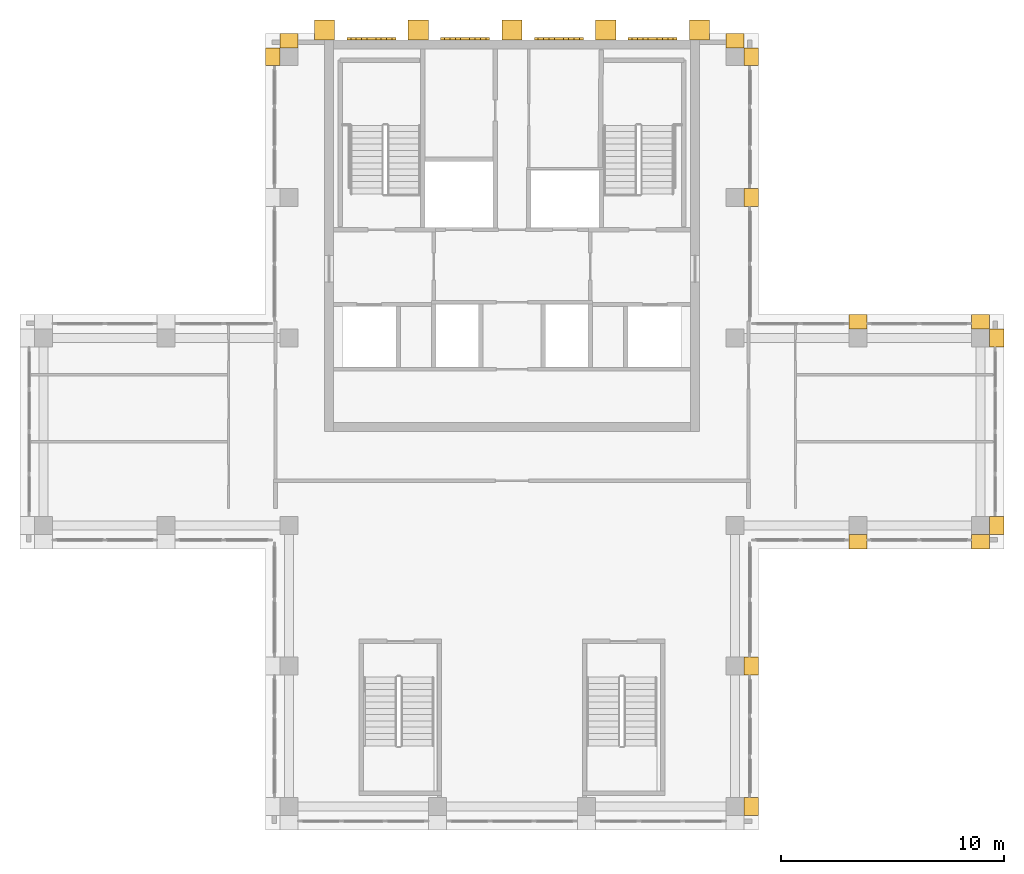
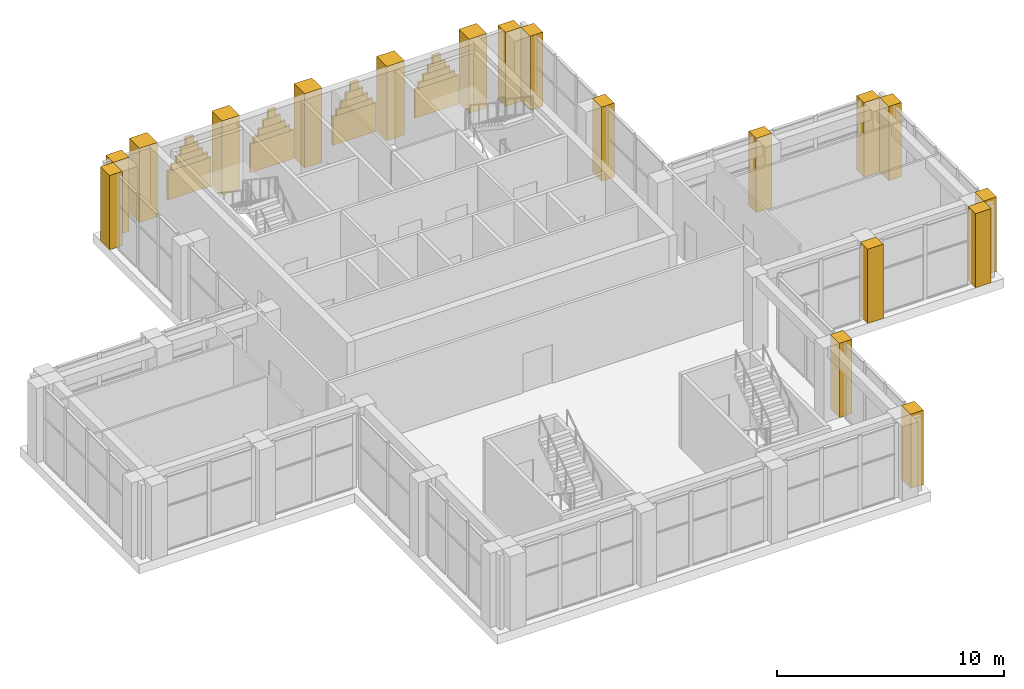
# One storey, part 14 of 14: 38 coverings.
"""IFC4 building model written with IfcOpenShell, lengths in metres."""

from ifc_helpers import new_model, si_unit, direction, frame, origin, place, context, subcontext, project, spatial, polyline, outline, extrude, material, type_object, element, save


model = new_model("IFC4")

# Units and contexts
model_context = context("Model", 3, precision=1e-05, world=origin(), true_north=direction((0.0, 1.0)))
body_context = subcontext(model_context, "Body", "Model", "MODEL_VIEW")
ifc_project = project(units=[si_unit("LENGTHUNIT", "METRE"), si_unit("AREAUNIT", "SQUARE_METRE"), si_unit("VOLUMEUNIT", "CUBIC_METRE"), si_unit("PLANEANGLEUNIT", "RADIAN"), si_unit("MASSUNIT", "GRAM", prefix="KILO")], contexts=[model_context])

# Site, building, storey
site_placement = place(None, origin())
site = spatial("IfcSite", under=ifc_project, at=site_placement, CompositionType="ELEMENT")
building_placement = place(site_placement, origin())
building = spatial("IfcBuilding", under=site, at=building_placement, Name="Vermilion Ogive Tower", CompositionType="ELEMENT")
storey_placement = place(building_placement, frame((0.0, 0.0, 289.35009765625)))
storey = spatial("IfcBuildingStorey", under=building, at=storey_placement, Name="L75", CompositionType="ELEMENT", Elevation=289.35009765625)

# Coverings
ifc_material_1 = material(Name="Stone cladding", Category="masonry")
covering_type_1 = type_object("IfcCoveringType", Name="Core buttress pier", PredefinedType="CLADDING", material=ifc_material_1)
covering_1_placement = place(storey_placement, origin())
element("IfcCovering", 1, at=covering_1_placement, inside=storey, type_object=covering_type_1, Name="Buttress pier L75 N1", PredefinedType="CLADDING", context=body_context, shape_type="SweptSolid", body=[
    extrude(outline(polyline([(-8.85009765625, 21.75), (-7.949951171875, 21.75), (-7.949951171875, 22.64990234375), (-8.85009765625, 22.64990234375), (-8.85009765625, 21.75)])), origin(), (0.0, 0.0, 1.0), 4.0),
])
covering_2_placement = place(storey_placement, origin())
element("IfcCovering", 2, at=covering_2_placement, inside=storey, type_object=covering_type_1, Name="Buttress pier L75 N2", PredefinedType="CLADDING", context=body_context, shape_type="SweptSolid", body=[
    extrude(outline(polyline([(-4.64990234375, 21.75), (-3.75, 21.75), (-3.75, 22.64990234375), (-4.64990234375, 22.64990234375), (-4.64990234375, 21.75)])), origin(), (0.0, 0.0, 1.0), 4.0),
])
covering_3_placement = place(storey_placement, origin())
element("IfcCovering", 3, at=covering_3_placement, inside=storey, type_object=covering_type_1, Name="Buttress pier L75 N3", PredefinedType="CLADDING", context=body_context, shape_type="SweptSolid", body=[
    extrude(outline(polyline([(-0.449951171875, 21.75), (0.449951171875, 21.75), (0.449951171875, 22.64990234375), (-0.449951171875, 22.64990234375), (-0.449951171875, 21.75)])), origin(), (0.0, 0.0, 1.0), 4.0),
])
covering_4_placement = place(storey_placement, origin())
element("IfcCovering", 4, at=covering_4_placement, inside=storey, type_object=covering_type_1, Name="Buttress pier L75 N4", PredefinedType="CLADDING", context=body_context, shape_type="SweptSolid", body=[
    extrude(outline(polyline([(3.75, 21.75), (4.64990234375, 21.75), (4.64990234375, 22.64990234375), (3.75, 22.64990234375), (3.75, 21.75)])), origin(), (0.0, 0.0, 1.0), 4.0),
])
covering_5_placement = place(storey_placement, origin())
element("IfcCovering", 5, at=covering_5_placement, inside=storey, type_object=covering_type_1, Name="Buttress pier L75 N5", PredefinedType="CLADDING", context=body_context, shape_type="SweptSolid", body=[
    extrude(outline(polyline([(7.949951171875, 21.75), (8.85009765625, 21.75), (8.85009765625, 22.64990234375), (7.949951171875, 22.64990234375), (7.949951171875, 21.75)])), origin(), (0.0, 0.0, 1.0), 4.0),
])
ifc_material_2 = material(Name="Stone cladding", Category="masonry")
covering_type_2 = type_object("IfcCoveringType", Name="Lancet panel", PredefinedType="CLADDING", material=ifc_material_2)
covering_6_placement = place(storey_placement, frame((0.0, 0.0, 0.699951171875)))
element("IfcCovering", 6, at=covering_6_placement, inside=storey, type_object=covering_type_2, Name="Lancet panel L75N1A", PredefinedType="CLADDING", context=body_context, shape_type="SweptSolid", body=[
    extrude(outline(polyline([(-7.39990234375, 21.75), (-5.199951171875, 21.75), (-5.199951171875, 21.8701171875), (-7.39990234375, 21.8701171875), (-7.39990234375, 21.75)])), origin(), (0.0, 0.0, 1.0), 1.550048828125),
])
covering_7_placement = place(storey_placement, frame((0.0, 0.0, 2.25)))
element("IfcCovering", 7, at=covering_7_placement, inside=storey, type_object=covering_type_2, Name="Lancet panel L75N1B", PredefinedType="CLADDING", context=body_context, shape_type="SweptSolid", body=[
    extrude(outline(polyline([(-7.22412109375, 21.75), (-5.3759765625, 21.75), (-5.3759765625, 21.8701171875), (-7.22412109375, 21.8701171875), (-7.22412109375, 21.75)])), origin(), (0.0, 0.0, 1.0), 0.2998046875),
])
covering_8_placement = place(storey_placement, frame((0.0, 0.0, 2.5498046875)))
element("IfcCovering", 8, at=covering_8_placement, inside=storey, type_object=covering_type_2, Name="Lancet panel L75N1C", PredefinedType="CLADDING", context=body_context, shape_type="SweptSolid", body=[
    extrude(outline(polyline([(-6.98193359375, 21.75), (-5.617919921875, 21.75), (-5.617919921875, 21.8701171875), (-6.98193359375, 21.8701171875), (-6.98193359375, 21.75)])), origin(), (0.0, 0.0, 1.0), 0.35009765625),
])
covering_9_placement = place(storey_placement, frame((0.0, 0.0, 2.89990234375)))
element("IfcCovering", 9, at=covering_9_placement, inside=storey, type_object=covering_type_2, Name="Lancet panel L75N1D", PredefinedType="CLADDING", context=body_context, shape_type="SweptSolid", body=[
    extrude(outline(polyline([(-6.739990234375, 21.75), (-5.860107421875, 21.75), (-5.860107421875, 21.8701171875), (-6.739990234375, 21.8701171875), (-6.739990234375, 21.75)])), origin(), (0.0, 0.0, 1.0), 0.39990234375),
])
covering_10_placement = place(storey_placement, frame((0.0, 0.0, 3.2998046875)))
element("IfcCovering", 10, at=covering_10_placement, inside=storey, type_object=covering_type_2, Name="Lancet panel L75N1E", PredefinedType="CLADDING", context=body_context, shape_type="SweptSolid", body=[
    extrude(outline(polyline([(-6.498046875, 21.75), (-6.10205078125, 21.75), (-6.10205078125, 21.8701171875), (-6.498046875, 21.8701171875), (-6.498046875, 21.75)])), origin(), (0.0, 0.0, 1.0), 0.4501953125),
])
covering_11_placement = place(storey_placement, frame((0.0, 0.0, 0.699951171875)))
element("IfcCovering", 11, at=covering_11_placement, inside=storey, type_object=covering_type_2, Name="Lancet panel L75N2A", PredefinedType="CLADDING", context=body_context, shape_type="SweptSolid", body=[
    extrude(outline(polyline([(-3.199951171875, 21.75), (-1.0, 21.75), (-1.0, 21.8701171875), (-3.199951171875, 21.8701171875), (-3.199951171875, 21.75)])), origin(), (0.0, 0.0, 1.0), 1.550048828125),
])
covering_12_placement = place(storey_placement, frame((0.0, 0.0, 2.25)))
element("IfcCovering", 12, at=covering_12_placement, inside=storey, type_object=covering_type_2, Name="Lancet panel L75N2B", PredefinedType="CLADDING", context=body_context, shape_type="SweptSolid", body=[
    extrude(outline(polyline([(-3.02392578125, 21.75), (-1.176025390625, 21.75), (-1.176025390625, 21.8701171875), (-3.02392578125, 21.8701171875), (-3.02392578125, 21.75)])), origin(), (0.0, 0.0, 1.0), 0.2998046875),
])
covering_13_placement = place(storey_placement, frame((0.0, 0.0, 2.5498046875)))
element("IfcCovering", 13, at=covering_13_placement, inside=storey, type_object=covering_type_2, Name="Lancet panel L75N2C", PredefinedType="CLADDING", context=body_context, shape_type="SweptSolid", body=[
    extrude(outline(polyline([(-2.781982421875, 21.75), (-1.41796875, 21.75), (-1.41796875, 21.8701171875), (-2.781982421875, 21.8701171875), (-2.781982421875, 21.75)])), origin(), (0.0, 0.0, 1.0), 0.35009765625),
])
covering_14_placement = place(storey_placement, frame((0.0, 0.0, 2.89990234375)))
element("IfcCovering", 14, at=covering_14_placement, inside=storey, type_object=covering_type_2, Name="Lancet panel L75N2D", PredefinedType="CLADDING", context=body_context, shape_type="SweptSolid", body=[
    extrude(outline(polyline([(-2.5400390625, 21.75), (-1.659912109375, 21.75), (-1.659912109375, 21.8701171875), (-2.5400390625, 21.8701171875), (-2.5400390625, 21.75)])), origin(), (0.0, 0.0, 1.0), 0.39990234375),
])
covering_15_placement = place(storey_placement, frame((0.0, 0.0, 3.2998046875)))
element("IfcCovering", 15, at=covering_15_placement, inside=storey, type_object=covering_type_2, Name="Lancet panel L75N2E", PredefinedType="CLADDING", context=body_context, shape_type="SweptSolid", body=[
    extrude(outline(polyline([(-2.298095703125, 21.75), (-1.902099609375, 21.75), (-1.902099609375, 21.8701171875), (-2.298095703125, 21.8701171875), (-2.298095703125, 21.75)])), origin(), (0.0, 0.0, 1.0), 0.4501953125),
])
covering_16_placement = place(storey_placement, frame((0.0, 0.0, 0.699951171875)))
element("IfcCovering", 16, at=covering_16_placement, inside=storey, type_object=covering_type_2, Name="Lancet panel L75N3A", PredefinedType="CLADDING", context=body_context, shape_type="SweptSolid", body=[
    extrude(outline(polyline([(1.0, 21.75), (3.199951171875, 21.75), (3.199951171875, 21.8701171875), (1.0, 21.8701171875), (1.0, 21.75)])), origin(), (0.0, 0.0, 1.0), 1.550048828125),
])
covering_17_placement = place(storey_placement, frame((0.0, 0.0, 2.25)))
element("IfcCovering", 17, at=covering_17_placement, inside=storey, type_object=covering_type_2, Name="Lancet panel L75N3B", PredefinedType="CLADDING", context=body_context, shape_type="SweptSolid", body=[
    extrude(outline(polyline([(1.176025390625, 21.75), (3.02392578125, 21.75), (3.02392578125, 21.8701171875), (1.176025390625, 21.8701171875), (1.176025390625, 21.75)])), origin(), (0.0, 0.0, 1.0), 0.2998046875),
])
covering_18_placement = place(storey_placement, frame((0.0, 0.0, 2.5498046875)))
element("IfcCovering", 18, at=covering_18_placement, inside=storey, type_object=covering_type_2, Name="Lancet panel L75N3C", PredefinedType="CLADDING", context=body_context, shape_type="SweptSolid", body=[
    extrude(outline(polyline([(1.41796875, 21.75), (2.781982421875, 21.75), (2.781982421875, 21.8701171875), (1.41796875, 21.8701171875), (1.41796875, 21.75)])), origin(), (0.0, 0.0, 1.0), 0.35009765625),
])
covering_19_placement = place(storey_placement, frame((0.0, 0.0, 2.89990234375)))
element("IfcCovering", 19, at=covering_19_placement, inside=storey, type_object=covering_type_2, Name="Lancet panel L75N3D", PredefinedType="CLADDING", context=body_context, shape_type="SweptSolid", body=[
    extrude(outline(polyline([(1.659912109375, 21.75), (2.5400390625, 21.75), (2.5400390625, 21.8701171875), (1.659912109375, 21.8701171875), (1.659912109375, 21.75)])), origin(), (0.0, 0.0, 1.0), 0.39990234375),
])
covering_20_placement = place(storey_placement, frame((0.0, 0.0, 3.2998046875)))
element("IfcCovering", 20, at=covering_20_placement, inside=storey, type_object=covering_type_2, Name="Lancet panel L75N3E", PredefinedType="CLADDING", context=body_context, shape_type="SweptSolid", body=[
    extrude(outline(polyline([(1.902099609375, 21.75), (2.298095703125, 21.75), (2.298095703125, 21.8701171875), (1.902099609375, 21.8701171875), (1.902099609375, 21.75)])), origin(), (0.0, 0.0, 1.0), 0.4501953125),
])
covering_21_placement = place(storey_placement, frame((0.0, 0.0, 0.699951171875)))
element("IfcCovering", 21, at=covering_21_placement, inside=storey, type_object=covering_type_2, Name="Lancet panel L75N4A", PredefinedType="CLADDING", context=body_context, shape_type="SweptSolid", body=[
    extrude(outline(polyline([(5.199951171875, 21.75), (7.39990234375, 21.75), (7.39990234375, 21.8701171875), (5.199951171875, 21.8701171875), (5.199951171875, 21.75)])), origin(), (0.0, 0.0, 1.0), 1.550048828125),
])
covering_22_placement = place(storey_placement, frame((0.0, 0.0, 2.25)))
element("IfcCovering", 22, at=covering_22_placement, inside=storey, type_object=covering_type_2, Name="Lancet panel L75N4B", PredefinedType="CLADDING", context=body_context, shape_type="SweptSolid", body=[
    extrude(outline(polyline([(5.3759765625, 21.75), (7.22412109375, 21.75), (7.22412109375, 21.8701171875), (5.3759765625, 21.8701171875), (5.3759765625, 21.75)])), origin(), (0.0, 0.0, 1.0), 0.2998046875),
])
covering_23_placement = place(storey_placement, frame((0.0, 0.0, 2.5498046875)))
element("IfcCovering", 23, at=covering_23_placement, inside=storey, type_object=covering_type_2, Name="Lancet panel L75N4C", PredefinedType="CLADDING", context=body_context, shape_type="SweptSolid", body=[
    extrude(outline(polyline([(5.617919921875, 21.75), (6.98193359375, 21.75), (6.98193359375, 21.8701171875), (5.617919921875, 21.8701171875), (5.617919921875, 21.75)])), origin(), (0.0, 0.0, 1.0), 0.35009765625),
])
covering_24_placement = place(storey_placement, frame((0.0, 0.0, 2.89990234375)))
element("IfcCovering", 24, at=covering_24_placement, inside=storey, type_object=covering_type_2, Name="Lancet panel L75N4D", PredefinedType="CLADDING", context=body_context, shape_type="SweptSolid", body=[
    extrude(outline(polyline([(5.860107421875, 21.75), (6.739990234375, 21.75), (6.739990234375, 21.8701171875), (5.860107421875, 21.8701171875), (5.860107421875, 21.75)])), origin(), (0.0, 0.0, 1.0), 0.39990234375),
])
covering_25_placement = place(storey_placement, frame((0.0, 0.0, 3.2998046875)))
element("IfcCovering", 25, at=covering_25_placement, inside=storey, type_object=covering_type_2, Name="Lancet panel L75N4E", PredefinedType="CLADDING", context=body_context, shape_type="SweptSolid", body=[
    extrude(outline(polyline([(6.10205078125, 21.75), (6.498046875, 21.75), (6.498046875, 21.8701171875), (6.10205078125, 21.8701171875), (6.10205078125, 21.75)])), origin(), (0.0, 0.0, 1.0), 0.4501953125),
])
ifc_material_3 = material(Name="Stone cladding", Category="masonry")
covering_type_3 = type_object("IfcCoveringType", Name="Stone pier", PredefinedType="CLADDING", material=ifc_material_3)
covering_26_placement = place(storey_placement, origin())
element("IfcCovering", 26, at=covering_26_placement, inside=storey, type_object=covering_type_3, Name="Stone pier P+0100+147", PredefinedType="CLADDING", context=body_context, shape_type="SweptSolid", body=[
    extrude(outline(polyline([(11.050048828125, 15.10009765625), (11.050048828125, 14.300048828125), (10.39990234375, 14.300048828125), (10.39990234375, 15.10009765625), (11.050048828125, 15.10009765625)])), origin(), (0.0, 0.0, 1.0), 4.0),
])
covering_27_placement = place(storey_placement, origin())
element("IfcCovering", 27, at=covering_27_placement, inside=storey, type_object=covering_type_3, Name="Stone pier P+0100+210X4", PredefinedType="CLADDING", context=body_context, shape_type="SweptSolid", body=[
    extrude(outline(polyline([(11.050048828125, 21.39990234375), (11.050048828125, 20.60009765625), (10.39990234375, 20.60009765625), (10.39990234375, 21.39990234375), (11.050048828125, 21.39990234375)])), origin(), (0.0, 0.0, 1.0), 4.0),
])
covering_28_placement = place(storey_placement, origin())
element("IfcCovering", 28, at=covering_28_placement, inside=storey, type_object=covering_type_3, Name="Stone pier P+0100+210N1", PredefinedType="CLADDING", context=body_context, shape_type="SweptSolid", body=[
    extrude(outline(polyline([(10.39990234375, 22.050048828125), (10.39990234375, 21.39990234375), (9.60009765625, 21.39990234375), (9.60009765625, 22.050048828125), (10.39990234375, 22.050048828125)])), origin(), (0.0, 0.0, 1.0), 4.0),
])
covering_29_placement = place(storey_placement, origin())
element("IfcCovering", 29, at=covering_29_placement, inside=storey, type_object=covering_type_3, Name="Stone pier P+0100-063", PredefinedType="CLADDING", context=body_context, shape_type="SweptSolid", body=[
    extrude(outline(polyline([(11.050048828125, -5.89990234375), (11.050048828125, -6.699951171875), (10.39990234375, -6.699951171875), (10.39990234375, -5.89990234375), (11.050048828125, -5.89990234375)])), origin(), (0.0, 0.0, 1.0), 4.0),
])
covering_30_placement = place(storey_placement, origin())
element("IfcCovering", 30, at=covering_30_placement, inside=storey, type_object=covering_type_3, Name="Stone pier P+0100-126X1", PredefinedType="CLADDING", context=body_context, shape_type="SweptSolid", body=[
    extrude(outline(polyline([(11.050048828125, -13.0), (10.39990234375, -13.0), (10.39990234375, -12.199951171875), (11.050048828125, -12.199951171875), (11.050048828125, -13.0)])), origin(), (0.0, 0.0, 1.0), 4.0),
])
covering_31_placement = place(storey_placement, origin())
element("IfcCovering", 31, at=covering_31_placement, inside=storey, type_object=covering_type_3, Name="Stone pier P+0155+000", PredefinedType="CLADDING", context=body_context, shape_type="SweptSolid", body=[
    extrude(outline(polyline([(15.89990234375, -1.050048828125), (15.10009765625, -1.050048828125), (15.10009765625, -0.39990234375), (15.89990234375, -0.39990234375), (15.89990234375, -1.050048828125)])), origin(), (0.0, 0.0, 1.0), 4.0),
])
covering_32_placement = place(storey_placement, origin())
element("IfcCovering", 32, at=covering_32_placement, inside=storey, type_object=covering_type_3, Name="Stone pier P+0155+084", PredefinedType="CLADDING", context=body_context, shape_type="SweptSolid", body=[
    extrude(outline(polyline([(15.10009765625, 9.449951171875), (15.89990234375, 9.449951171875), (15.89990234375, 8.800048828125), (15.10009765625, 8.800048828125), (15.10009765625, 9.449951171875)])), origin(), (0.0, 0.0, 1.0), 4.0),
])
covering_33_placement = place(storey_placement, origin())
element("IfcCovering", 33, at=covering_33_placement, inside=storey, type_object=covering_type_3, Name="Stone pier P+0210+000X2", PredefinedType="CLADDING", context=body_context, shape_type="SweptSolid", body=[
    extrude(outline(polyline([(21.39990234375, -1.050048828125), (20.60009765625, -1.050048828125), (20.60009765625, -0.39990234375), (21.39990234375, -0.39990234375), (21.39990234375, -1.050048828125)])), origin(), (0.0, 0.0, 1.0), 4.0),
])
covering_34_placement = place(storey_placement, origin())
element("IfcCovering", 34, at=covering_34_placement, inside=storey, type_object=covering_type_3, Name="Stone pier P+0210+000E", PredefinedType="CLADDING", context=body_context, shape_type="SweptSolid", body=[
    extrude(outline(polyline([(22.050048828125, -0.39990234375), (21.39990234375, -0.39990234375), (21.39990234375, 0.39990234375), (22.050048828125, 0.39990234375), (22.050048828125, -0.39990234375)])), origin(), (0.0, 0.0, 1.0), 4.0),
])
covering_35_placement = place(storey_placement, origin())
element("IfcCovering", 35, at=covering_35_placement, inside=storey, type_object=covering_type_3, Name="Stone pier P+0210+084E", PredefinedType="CLADDING", context=body_context, shape_type="SweptSolid", body=[
    extrude(outline(polyline([(22.050048828125, 8.800048828125), (22.050048828125, 8.0), (21.39990234375, 8.0), (21.39990234375, 8.800048828125), (22.050048828125, 8.800048828125)])), origin(), (0.0, 0.0, 1.0), 4.0),
])
covering_36_placement = place(storey_placement, origin())
element("IfcCovering", 36, at=covering_36_placement, inside=storey, type_object=covering_type_3, Name="Stone pier P+0210+084X3", PredefinedType="CLADDING", context=body_context, shape_type="SweptSolid", body=[
    extrude(outline(polyline([(21.39990234375, 9.449951171875), (21.39990234375, 8.800048828125), (20.60009765625, 8.800048828125), (20.60009765625, 9.449951171875), (21.39990234375, 9.449951171875)])), origin(), (0.0, 0.0, 1.0), 4.0),
])
covering_37_placement = place(storey_placement, origin())
element("IfcCovering", 37, at=covering_37_placement, inside=storey, type_object=covering_type_3, Name="Stone pier P-0100+210N2", PredefinedType="CLADDING", context=body_context, shape_type="SweptSolid", body=[
    extrude(outline(polyline([(-10.39990234375, 22.050048828125), (-9.60009765625, 22.050048828125), (-9.60009765625, 21.39990234375), (-10.39990234375, 21.39990234375), (-10.39990234375, 22.050048828125)])), origin(), (0.0, 0.0, 1.0), 4.0),
])
covering_38_placement = place(storey_placement, origin())
element("IfcCovering", 38, at=covering_38_placement, inside=storey, type_object=covering_type_3, Name="Stone pier P-0100+210X5", PredefinedType="CLADDING", context=body_context, shape_type="SweptSolid", body=[
    extrude(outline(polyline([(-11.050048828125, 21.39990234375), (-10.39990234375, 21.39990234375), (-10.39990234375, 20.60009765625), (-11.050048828125, 20.60009765625), (-11.050048828125, 21.39990234375)])), origin(), (0.0, 0.0, 1.0), 4.0),
])

save(model, "model.ifc")
